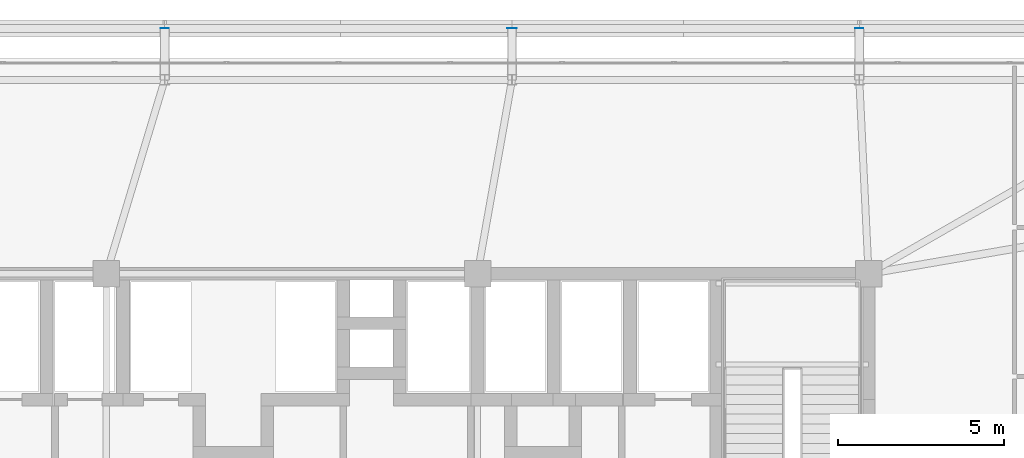
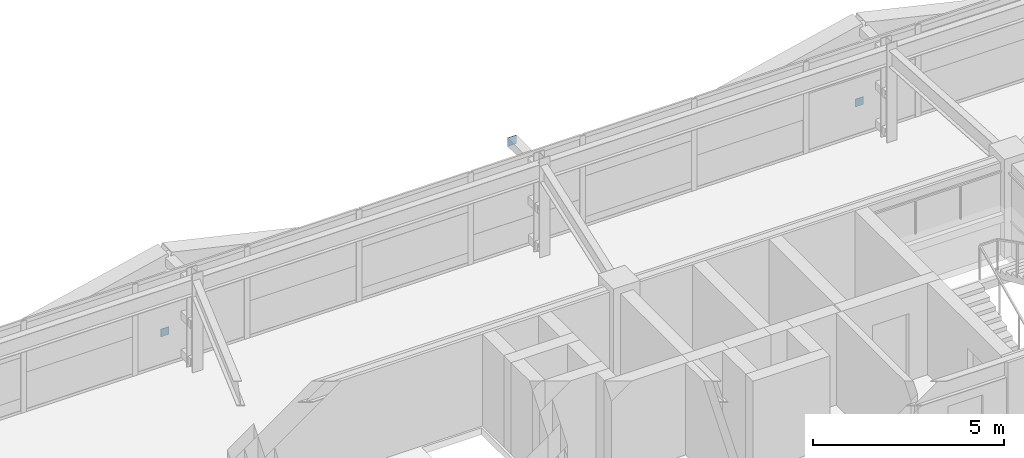
# One storey, part 50 of 59: 3 plates.
"""IFC4 building model written with IfcOpenShell, lengths in metres."""

from ifc_helpers import new_model, si_unit, direction, frame, origin, origin_2d, place, context, subcontext, project, spatial, rectangle, extrude, source, transform, mapped, material, layer, layer_set, type_object, element, save


model = new_model("IFC4")

# Units and contexts
model_context = context("Model", 3, precision=1e-05, world=origin(), true_north=direction((0.0, 1.0)))
body_context = subcontext(model_context, "Body", "Model", "MODEL_VIEW")
ifc_project = project(units=[si_unit("LENGTHUNIT", "METRE"), si_unit("AREAUNIT", "SQUARE_METRE"), si_unit("VOLUMEUNIT", "CUBIC_METRE"), si_unit("PLANEANGLEUNIT", "RADIAN"), si_unit("MASSUNIT", "GRAM", prefix="KILO")], contexts=[model_context])

# Site, building, storey
site_placement = place(None, origin())
site = spatial("IfcSite", under=ifc_project, at=site_placement, CompositionType="ELEMENT")
building_placement = place(site_placement, origin())
building = spatial("IfcBuilding", under=site, at=building_placement, Name="Taldren Reach Tower", CompositionType="ELEMENT")
storey_placement = place(building_placement, frame((0.0, 0.0, 19.949951171875)))
storey = spatial("IfcBuildingStorey", under=building, at=storey_placement, Name="L05", CompositionType="ELEMENT", Elevation=19.949951171875)

# Plates
ifc_material_1 = material(Name="Steel Gr 450 (C450L0)", Category="steel")
ifc_layer_1 = layer(ifc_material_1, 0.011962890625)
ifc_layer_set_1 = layer_set([ifc_layer_1], Name="Steel Gr 450 (C450L0)")
plate_type_1 = type_object("IfcPlateType", Name="PL-CAP-275", PredefinedType="SHEET", material=ifc_layer_set_1)
shared_shape_1 = source(origin(), body_context, "Body", "SweptSolid", [
    extrude(rectangle(XDim=0.27490234375, YDim=0.011962890625, at=origin_2d()), origin(), (0.0, 0.0, 1.0), 0.27490234375),
])
plate_placement = place(storey_placement, frame((40.239990234375, 39.406005859375, 2.5126953125), z_axis=(0.0, 0.0, 1.0), x_axis=(1.0, 0.0, 0.0)))
element("IfcPlate", 1, at=plate_placement, inside=storey, type_object=plate_type_1, Name="Tie strut end cap plate B1-N4 L05", PredefinedType="SHEET", context=body_context, shape_type="MappedRepresentation", body=[
    mapped(shared_shape_1, transform((0.0, 0.0, 0.0), scale=1.0)),
])
ifc_material_2 = material(Name="Steel Gr 350 (C350L0)", Category="steel")
ifc_layer_2 = layer(ifc_material_2, 0.011962890625)
ifc_layer_set_2 = layer_set([ifc_layer_2], Name="Steel Gr 350 (C350L0)")
plate_type_2 = type_object("IfcPlateType", Name="PL-CAP-250", PredefinedType="SHEET", material=ifc_layer_set_2)
shared_shape_2 = source(origin(), body_context, "Body", "SweptSolid", [
    extrude(rectangle(XDim=0.25, YDim=0.011962890625, at=origin_2d()), origin(), (0.0, 0.0, 1.0), 0.25),
])
for number, where, z_axis, x_axis, name in (
    (2, (29.760009765625, 39.406005859375, 0.094970703125), (0.0, 0.0, 1.0), (1.0, 0.0, 0.0), "Tie strut end cap plate B1-N3 L05"),
    (3, (50.719970703125, 39.406005859375, 0.094970703125), (0.0, 0.0, 1.0), (1.0, 0.0, 0.0), "Tie strut end cap plate B1-N5 L05"),
):
    element("IfcPlate", number, at=place(storey_placement, frame(where, z_axis=z_axis, x_axis=x_axis)), inside=storey, type_object=plate_type_2, Name=name, PredefinedType="SHEET", context=body_context, shape_type="MappedRepresentation", body=[
        mapped(shared_shape_2, transform((0.0, 0.0, 0.0), scale=1.0)),
    ])

save(model, "model.ifc")
